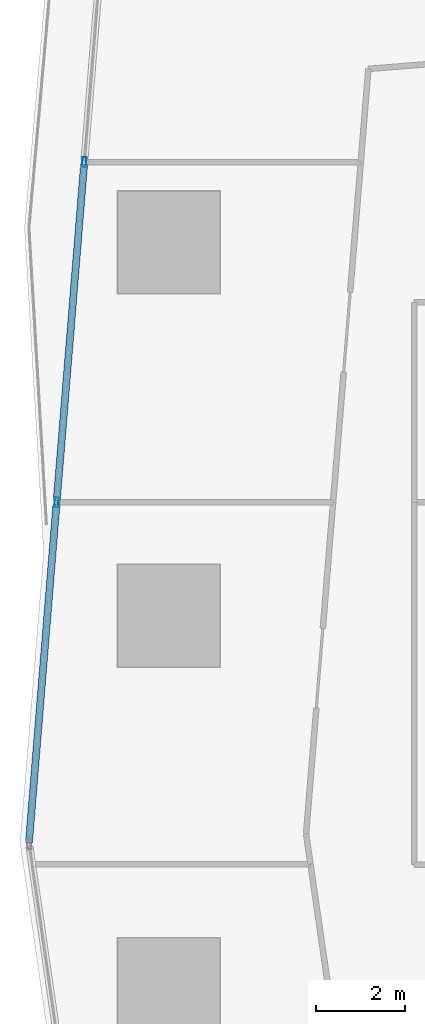
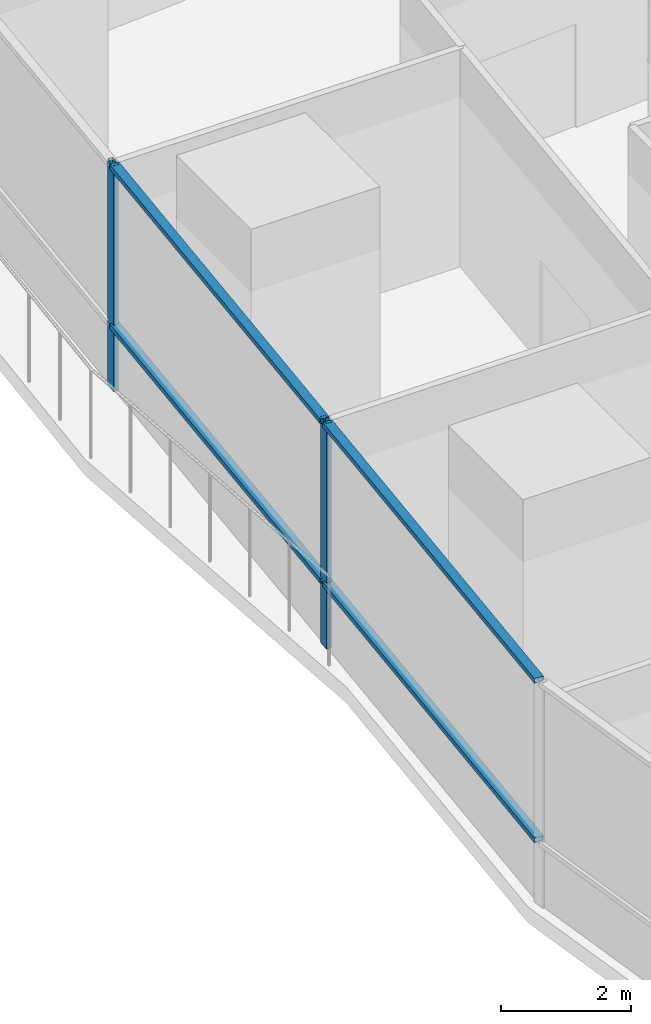
# One storey, part 4 of 39: 6 members, 1 element without a shape of its own.
"""IFC4 building model written with IfcOpenShell, lengths in metres."""

from ifc_helpers import new_model, si_unit, direction, frame, origin, origin_2d, place, context, subcontext, project, spatial, hollow_rectangle, extrude, material, material_profile, profile_set, type_object, element, aggregate, save


model = new_model("IFC4")

# Units and contexts
model_context = context("Model", 3, precision=1e-05, world=origin(), true_north=direction((0.0, 1.0)))
body_context = subcontext(model_context, "Body", "Model", "MODEL_VIEW")
ifc_project = project(units=[si_unit("LENGTHUNIT", "METRE"), si_unit("AREAUNIT", "SQUARE_METRE"), si_unit("VOLUMEUNIT", "CUBIC_METRE"), si_unit("PLANEANGLEUNIT", "RADIAN"), si_unit("MASSUNIT", "GRAM", prefix="KILO")], contexts=[model_context])

# Site, building, storey
site_placement = place(None, origin())
site = spatial("IfcSite", under=ifc_project, at=site_placement, CompositionType="ELEMENT")
building_placement = place(site_placement, origin())
building = spatial("IfcBuilding", under=site, at=building_placement, Name="Rekha Terrace Tower", CompositionType="ELEMENT")
storey_placement = place(building_placement, frame((0.0, 0.0, 245.60009765625)))
storey = spatial("IfcBuildingStorey", under=building, at=storey_placement, Name="L62", CompositionType="ELEMENT", Elevation=245.60009765625)

# Curtain wall, members
ifc_material_1 = material(Name="Aluminium framing", Category="aluminium")
curtain_wall_type = type_object("IfcCurtainWallType", Name="CW5 sky garden glazing", PredefinedType="USERDEFINED", material=ifc_material_1)
curtain_wall_placement = place(storey_placement, origin())
curtain_wall = element("IfcCurtainWall", 1, at=curtain_wall_placement, inside=storey, type_object=curtain_wall_type, Name="CW5 sky garden curtain wall", ObjectType="SKY GARDEN CURTAIN WALL", PredefinedType="USERDEFINED")
ifc_material_2 = material(Name="Aluminium mullion section", Category="aluminium")
ifc_material_profile_1 = material_profile(ifc_material_2, hollow_rectangle(XDim=0.090087890625, YDim=0.219970703125, WallThickness=0.00390625, at=origin_2d()), Name="AL RHS 90x220")
ifc_profile_set_1 = profile_set([ifc_material_profile_1], Name="Aluminium mullion section")
member_type_1 = type_object("IfcMemberType", Name="CW5 mullion RHS 90 x 220", PredefinedType="MULLION", material=ifc_profile_set_1)
member_1_placement = place(storey_placement, frame((6.496337890625, 43.804443359375, 0.0), z_axis=(0.0, 0.0, 1.0), x_axis=(0.996708580523, -0.081067906798, 0.0)))
member_1 = element("IfcMember", 2, at=member_1_placement, type_object=member_type_1, Name="CW5 mullion 2", PredefinedType="MULLION", context=body_context, shape_type="SweptSolid", body=[
    extrude(hollow_rectangle(XDim=0.090087890625, YDim=0.219970703125, WallThickness=0.00390625, at=origin_2d()), origin(), (0.0, 0.0, 1.0), 4.25),
])
member_2_placement = place(storey_placement, frame((5.873779296875, 36.150390625, 0.0), z_axis=(0.0, 0.0, 1.0), x_axis=(0.996708580523, -0.081067906798, 0.0)))
member_2 = element("IfcMember", 3, at=member_2_placement, type_object=member_type_1, Name="CW5 mullion 3", PredefinedType="MULLION", context=body_context, shape_type="SweptSolid", body=[
    extrude(hollow_rectangle(XDim=0.090087890625, YDim=0.219970703125, WallThickness=0.00390625, at=origin_2d()), origin(), (0.0, 0.0, 1.0), 4.25),
])
ifc_material_3 = material(Name="Aluminium transom section", Category="aluminium")
ifc_material_profile_2 = material_profile(ifc_material_3, hollow_rectangle(XDim=0.159912109375, YDim=0.090087890625, WallThickness=0.0029296875, at=origin_2d()), Name="AL RHS 160x90")
ifc_profile_set_2 = profile_set([ifc_material_profile_2], Name="Aluminium transom section")
member_type_2 = type_object("IfcMemberType", Name="CW5 transom RHS 90 x 160", PredefinedType="USERDEFINED", material=ifc_profile_set_2)
member_3_placement = place(storey_placement, frame((6.49267578125, 43.759521484375, 1.199951171875), z_axis=(-0.081064623543, -0.996708847563, 0.0), x_axis=(0.996708847563, -0.081064623543, 0.0)))
member_3 = element("IfcMember", 4, at=member_3_placement, type_object=member_type_2, Name="CW5 transom 2.2", ObjectType="TRANSOM", PredefinedType="USERDEFINED", context=body_context, shape_type="SweptSolid", body=[
    extrude(hollow_rectangle(XDim=0.159912109375, YDim=0.090087890625, WallThickness=0.0029296875, at=origin_2d()), origin(), (0.0, 0.0, 1.0), 7.58935546875),
])
member_4_placement = place(storey_placement, frame((6.49267578125, 43.759521484375, 4.204833984375), z_axis=(-0.081064623543, -0.996708847563, 0.0), x_axis=(0.996708847563, -0.081064623543, 0.0)))
member_4 = element("IfcMember", 5, at=member_4_placement, type_object=member_type_2, Name="CW5 transom 2.3", ObjectType="TRANSOM", PredefinedType="USERDEFINED", context=body_context, shape_type="SweptSolid", body=[
    extrude(hollow_rectangle(XDim=0.159912109375, YDim=0.090087890625, WallThickness=0.0029296875, at=origin_2d()), origin(), (0.0, 0.0, 1.0), 7.58935546875),
])
member_5_placement = place(storey_placement, frame((5.8701171875, 36.10546875, 1.199951171875), z_axis=(-0.081068314804, -0.996708547337, 0.0), x_axis=(0.996708547337, -0.081068314804, 0.0)))
member_5 = element("IfcMember", 6, at=member_5_placement, type_object=member_type_2, Name="CW5 transom 3.2", ObjectType="TRANSOM", PredefinedType="USERDEFINED", context=body_context, shape_type="SweptSolid", body=[
    extrude(hollow_rectangle(XDim=0.159912109375, YDim=0.090087890625, WallThickness=0.0029296875, at=origin_2d()), origin(), (0.0, 0.0, 1.0), 7.63427734375),
])
member_6_placement = place(storey_placement, frame((5.8701171875, 36.10546875, 4.204833984375), z_axis=(-0.081068314804, -0.996708547337, 0.0), x_axis=(0.996708547337, -0.081068314804, 0.0)))
member_6 = element("IfcMember", 7, at=member_6_placement, type_object=member_type_2, Name="CW5 transom 3.3", ObjectType="TRANSOM", PredefinedType="USERDEFINED", context=body_context, shape_type="SweptSolid", body=[
    extrude(hollow_rectangle(XDim=0.159912109375, YDim=0.090087890625, WallThickness=0.0029296875, at=origin_2d()), origin(), (0.0, 0.0, 1.0), 7.63427734375),
])
aggregate(curtain_wall, [member_1, member_2, member_3, member_4, member_5, member_6])

save(model, "model.ifc")
